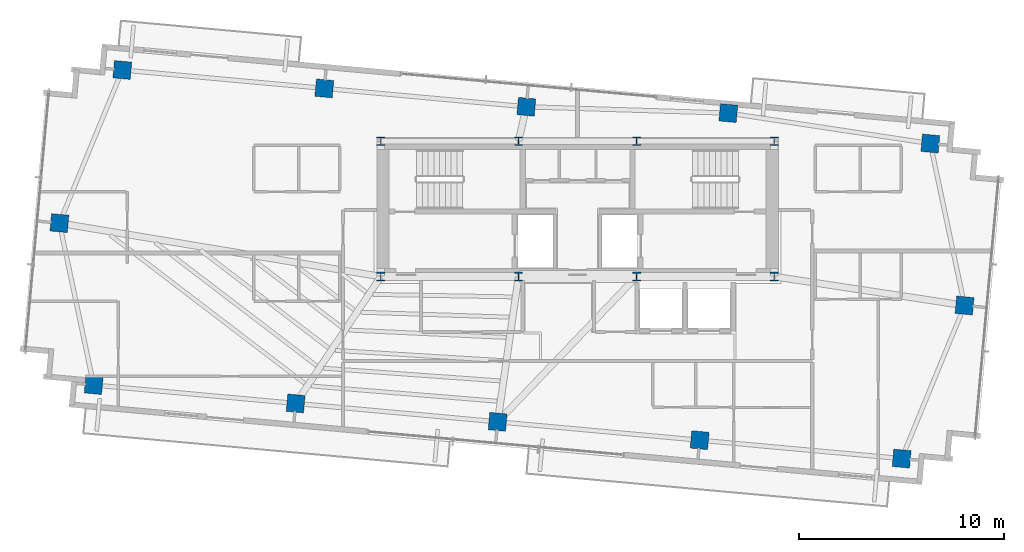
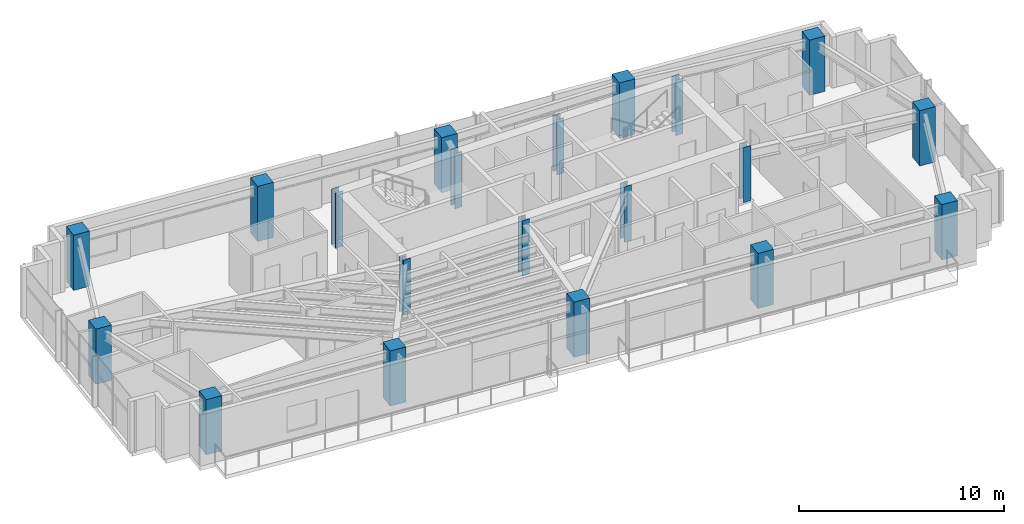
# One storey, part 1 of 22: 20 columns.
"""IFC4 building model written with IfcOpenShell, lengths in metres."""

from ifc_helpers import new_model, si_unit, direction, frame, origin, origin_2d, place, context, subcontext, project, spatial, rectangle, i_section, extrude, source, transform, mapped, material, material_profile, profile_set, type_object, type_shapes, element, save


model = new_model("IFC4")

# Units and contexts
model_context = context("Model", 3, precision=1e-05, world=origin(), true_north=direction((0.0, 1.0)))
body_context = subcontext(model_context, "Body", "Model", "MODEL_VIEW")
ifc_project = project(units=[si_unit("LENGTHUNIT", "METRE"), si_unit("AREAUNIT", "SQUARE_METRE"), si_unit("VOLUMEUNIT", "CUBIC_METRE"), si_unit("PLANEANGLEUNIT", "RADIAN"), si_unit("MASSUNIT", "GRAM", prefix="KILO")], contexts=[model_context])

# Site, building, storey
site_placement = place(None, origin())
site = spatial("IfcSite", under=ifc_project, at=site_placement, CompositionType="ELEMENT")
building_placement = place(site_placement, origin())
building = spatial("IfcBuilding", under=site, at=building_placement, Name="Astriad Promenade Condominiums", CompositionType="ELEMENT")
storey_placement = place(building_placement, frame((0.0, 0.0, 246.300048828125)))
storey = spatial("IfcBuildingStorey", under=building, at=storey_placement, Name="L71", CompositionType="ELEMENT", Elevation=246.300048828125)

# Columns
ifc_material_1 = material(Name="Steel ASTM A992 Grade 50", Category="steel")
ifc_material_profile_1 = material_profile(ifc_material_1, i_section(OverallWidth=0.4091796875, OverallDepth=0.42529296875, WebThickness=0.03271484375, FlangeThickness=0.052490234375, FilletRadius=0.017822265625, at=origin_2d()), Name="W14X283")
ifc_profile_set_1 = profile_set([ifc_material_profile_1], Name="Steel ASTM A992 Grade 50")
column_type_1 = type_object("IfcColumnType", Name="STEEL CORE PILASTER W14X283", PredefinedType="PILASTER", material=ifc_profile_set_1)
shared_shape_1 = source(origin(), body_context, "Body", "SweptSolid", [
    extrude(i_section(OverallWidth=0.4091796875, OverallDepth=0.42529296875, WebThickness=0.03271484375, FlangeThickness=0.052490234375, FilletRadius=0.017822265625, at=origin_2d()), origin(), (0.0, 0.0, 1.0), 3.2958984375),
])
type_shapes(column_type_1, [shared_shape_1])
for number, where, z_axis, x_axis, name in (
    (1, (26.39990234375, 17.39990234375, 0.001953125), (0.0, 0.0, 1.0), (1.0, 0.0, 0.0), "Core Pilaster Column CP1 (L71)"),
    (2, (33.1201171875, 17.39990234375, 0.001953125), (0.0, 0.0, 1.0), (1.0, 0.0, 0.0), "Core Pilaster Column CP2 (L71)"),
    (3, (38.8798828125, 17.39990234375, 0.001953125), (0.0, 0.0, 1.0), (1.0, 0.0, 0.0), "Core Pilaster Column CP3 (L71)"),
    (4, (45.60009765625, 17.39990234375, 0.001953125), (0.0, 0.0, 1.0), (1.0, 0.0, 0.0), "Core Pilaster Column CP4 (L71)"),
    (5, (26.39990234375, 24.0, 0.001953125), (0.0, 0.0, 1.0), (1.0, 0.0, 0.0), "Core Pilaster Column CP5 (L71)"),
    (6, (33.1201171875, 24.0, 0.001953125), (0.0, 0.0, 1.0), (1.0, 0.0, 0.0), "Core Pilaster Column CP6 (L71)"),
    (7, (38.8798828125, 24.0, 0.001953125), (0.0, 0.0, 1.0), (1.0, 0.0, 0.0), "Core Pilaster Column CP7 (L71)"),
    (8, (45.60009765625, 24.0, 0.001953125), (0.0, 0.0, 1.0), (1.0, 0.0, 0.0), "Core Pilaster Column CP8 (L71)"),
):
    element("IfcColumn", number, at=place(storey_placement, frame(where, z_axis=z_axis, x_axis=x_axis)), inside=storey, type_object=column_type_1, Name=name, PredefinedType="PILASTER", context=body_context, shape_type="MappedRepresentation", body=[
        mapped(shared_shape_1, transform((0.0, 0.0, 0.0), scale=1.0)),
    ])
ifc_material_2 = material(Name="Concrete C50/60", Category="concrete")
ifc_material_profile_2 = material_profile(ifc_material_2, rectangle(XDim=0.85009765625, YDim=0.85009765625, at=origin_2d()), Name="RC-COL-850X850")
ifc_profile_set_2 = profile_set([ifc_material_profile_2], Name="Concrete C50/60")
column_type_2 = type_object("IfcColumnType", Name="CONCRETE TOWER COLUMN 850X850", PredefinedType="COLUMN", material=ifc_profile_set_2)
shared_shape_2 = source(origin(), body_context, "Body", "SweptSolid", [
    extrude(rectangle(XDim=0.85009765625, YDim=0.85009765625, at=origin_2d()), origin(), (0.0, 0.0, 1.0), 3.2958984375),
])
type_shapes(column_type_2, [shared_shape_2])
for number, where, z_axis, x_axis, name in (
    (9, (12.3818359375, 12.106201171875, 0.001953125), (0.0, 0.0, 1.0), (0.995884398616, -0.090632580198, 0.0), "Perimeter Column PC01 (L71)"),
    (10, (22.2412109375, 11.208984375, 0.001953125), (0.0, 0.0, 1.0), (0.995884398616, -0.090632580198, 0.0), "Perimeter Column PC02 (L71)"),
    (11, (32.100341796875, 10.311767578125, 0.001953125), (0.0, 0.0, 1.0), (0.995884398616, -0.090632580198, 0.0), "Perimeter Column PC03 (L71)"),
    (12, (41.959716796875, 9.41455078125, 0.001953125), (0.0, 0.0, 1.0), (0.995884398616, -0.090632580198, 0.0), "Perimeter Column PC04 (L71)"),
    (13, (51.81884765625, 8.51708984375, 0.001953125), (0.0, 0.0, 1.0), (0.995884398616, -0.090632580198, 0.0), "Perimeter Column PC05 (L71)"),
    (14, (13.78125, 27.48291015625, 0.001953125), (0.0, 0.0, 1.0), (0.995884398616, -0.090632580198, 0.0), "Perimeter Column PC06 (L71)"),
    (15, (23.640380859375, 26.58544921875, 0.001953125), (0.0, 0.0, 1.0), (0.995884398616, -0.090632580198, 0.0), "Perimeter Column PC07 (L71)"),
    (16, (33.499755859375, 25.688232421875, 0.001953125), (0.0, 0.0, 1.0), (0.995884398616, -0.090632580198, 0.0), "Perimeter Column PC08 (L71)"),
    (17, (43.35888671875, 25.3798828125, 0.001953125), (0.0, 0.0, 1.0), (0.995884398616, -0.090632580198, 0.0), "Perimeter Column PC09 (L71)"),
    (18, (53.21826171875, 23.893798828125, 0.001953125), (0.0, 0.0, 1.0), (0.995884398616, -0.090632580198, 0.0), "Perimeter Column PC10 (L71)"),
    (19, (10.711181640625, 20.01025390625, 0.001953125), (0.0, 0.0, 1.0), (0.995884398616, -0.090632580198, 0.0), "Perimeter Column PC11 (L71)"),
    (20, (54.888671875, 15.98974609375, 0.001953125), (0.0, 0.0, 1.0), (0.995884398616, -0.090632580198, 0.0), "Perimeter Column PC12 (L71)"),
):
    element("IfcColumn", number, at=place(storey_placement, frame(where, z_axis=z_axis, x_axis=x_axis)), inside=storey, type_object=column_type_2, Name=name, PredefinedType="COLUMN", context=body_context, shape_type="MappedRepresentation", body=[
        mapped(shared_shape_2, transform((0.0, 0.0, 0.0), scale=1.0)),
    ])

save(model, "model.ifc")
